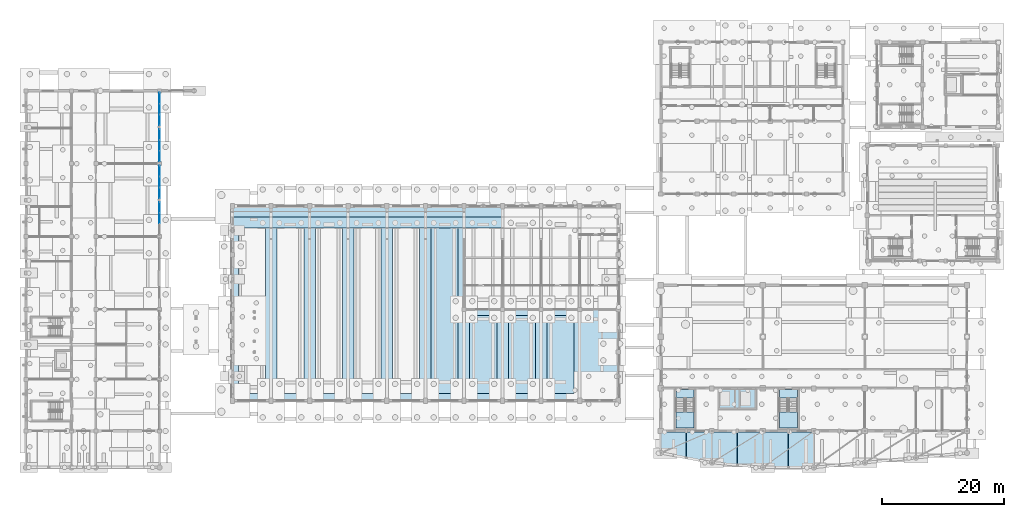
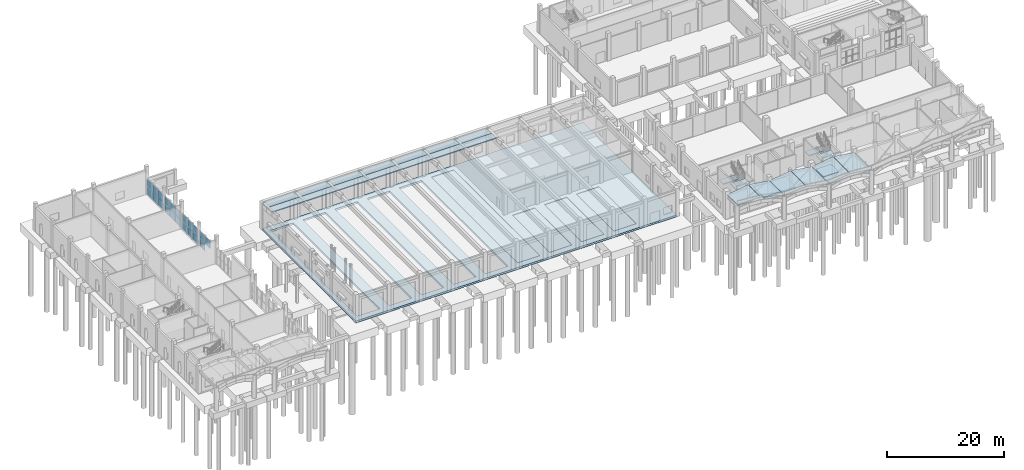
# One storey, part 25 of 60: 32 slabs, 21 plates, 6 elements without a shape of their own.
"""IFC4 building model written with IfcOpenShell, lengths in metres."""

from ifc_helpers import new_model, si_unit, direction, frame, origin, origin_2d, place, context, subcontext, project, spatial, polyline, rectangle, outline, extrude, material, layer, layer_set, type_object, element, aggregate, save


model = new_model("IFC4")

# Units and contexts
model_context = context("Model", 3, precision=1e-05, world=origin(), true_north=direction((0.0, 1.0)))
body_context = subcontext(model_context, "Body", "Model", "MODEL_VIEW")
ifc_project = project(units=[si_unit("LENGTHUNIT", "METRE"), si_unit("AREAUNIT", "SQUARE_METRE"), si_unit("VOLUMEUNIT", "CUBIC_METRE"), si_unit("PLANEANGLEUNIT", "RADIAN"), si_unit("MASSUNIT", "GRAM", prefix="KILO")], contexts=[model_context])

# Site, building, storey
site_placement = place(None, origin())
site = spatial("IfcSite", under=ifc_project, at=site_placement, CompositionType="ELEMENT")
building_placement = place(site_placement, origin())
building = spatial("IfcBuilding", under=site, at=building_placement, Name="Trellovar Central Fire Station", CompositionType="ELEMENT")
storey_placement = place(building_placement, origin())
storey = spatial("IfcBuildingStorey", under=building, at=storey_placement, Name="L01", CompositionType="ELEMENT", Elevation=0.0)

# Curtain wall, plate
ifc_material_1 = material(Name="Thermally broken bronze anodized aluminum", Category="aluminium")
ifc_layer_1 = layer(ifc_material_1, 0.159912109375)
ifc_layer_set_1 = layer_set([ifc_layer_1], Name="Thermally broken bronze anodized aluminum")
curtain_wall_type = type_object("IfcCurtainWallType", Name="CW-03", PredefinedType="NOTDEFINED", material=ifc_layer_set_1)
curtain_wall_1_placement = place(storey_placement, origin())
curtain_wall_1 = element("IfcCurtainWall", 1, at=curtain_wall_1_placement, inside=storey, type_object=curtain_wall_type, Name="L01 curtain wall CW-3", PredefinedType="NOTDEFINED")
ifc_material_2 = material(Name="Double low-E solar control insulated glazing", Category="glass")
ifc_layer_2 = layer(ifc_material_2, 0.031982421875)
ifc_layer_set_2 = layer_set([ifc_layer_2], Name="Double low-E solar control insulated glazing")
plate_type_1 = type_object("IfcPlateType", Name="CWP-GL1", PredefinedType="CURTAIN_PANEL", material=ifc_layer_set_2)
plate_1_placement = place(storey_placement, frame((23.0, 51.779052734375, 1.68994140625), z_axis=(0.0, 0.0, 1.0), x_axis=(0.0, 1.0, 0.0)))
plate_1 = element("IfcPlate", 2, at=plate_1_placement, type_object=plate_type_1, Name="CW3-L01-0033 panel 3-2", PredefinedType="CURTAIN_PANEL", context=body_context, shape_type="SweptSolid", body=[
    extrude(rectangle(XDim=1.711669921875, YDim=0.031982421875, at=origin_2d()), origin(), (0.0, 0.0, 1.0), 1.570068359375),
])

curtain_wall_2_placement = place(storey_placement, origin())
curtain_wall_2 = element("IfcCurtainWall", 3, at=curtain_wall_2_placement, inside=storey, type_object=curtain_wall_type, Name="L01 curtain wall CW-3", PredefinedType="NOTDEFINED")
plate_2_placement = place(storey_placement, frame((23.0, 56.012451171875, 1.68994140625), z_axis=(0.0, 0.0, 1.0), x_axis=(0.0, 1.0, 0.0)))
plate_2 = element("IfcPlate", 4, at=plate_2_placement, type_object=plate_type_1, Name="CW3-L01-0034 panel 2-2", PredefinedType="CURTAIN_PANEL", context=body_context, shape_type="SweptSolid", body=[
    extrude(rectangle(XDim=1.711669921875, YDim=0.031982421875, at=origin_2d()), origin(), (0.0, 0.0, 1.0), 1.570068359375),
])

curtain_wall_3_placement = place(storey_placement, origin())
curtain_wall_3 = element("IfcCurtainWall", 5, at=curtain_wall_3_placement, inside=storey, type_object=curtain_wall_type, Name="L01 curtain wall CW-3", PredefinedType="NOTDEFINED")
plate_3_placement = place(storey_placement, frame((23.0, 60.19580078125, 1.68994140625), z_axis=(0.0, 0.0, 1.0), x_axis=(0.0, 1.0, 0.0)))
plate_3 = element("IfcPlate", 6, at=plate_3_placement, type_object=plate_type_1, Name="CW3-L01-0035 panel 1-2", PredefinedType="CURTAIN_PANEL", context=body_context, shape_type="SweptSolid", body=[
    extrude(rectangle(XDim=1.711669921875, YDim=0.031982421875, at=origin_2d()), origin(), (0.0, 0.0, 1.0), 1.570068359375),
])

# Plate
ifc_material_3 = material(Name="Double low-E solar control insulated glazing", Category="glass")
ifc_layer_3 = layer(ifc_material_3, 0.035888671875)
ifc_layer_set_3 = layer_set([ifc_layer_3], Name="Double low-E solar control insulated glazing")
plate_type_2 = type_object("IfcPlateType", Name="CWP-GL2", PredefinedType="CURTAIN_PANEL", material=ifc_layer_set_3)
plate_4_placement = place(storey_placement, frame((23.0, 57.80419921875, 1.68994140625), z_axis=(0.0, 0.0, 1.0), x_axis=(0.0, 1.0, 0.0)))
plate_4 = element("IfcPlate", 7, at=plate_4_placement, type_object=plate_type_2, Name="CW3-L01-0034 panel 3-2", PredefinedType="CURTAIN_PANEL", context=body_context, shape_type="SweptSolid", body=[
    extrude(rectangle(XDim=1.711669921875, YDim=0.035888671875, at=origin_2d()), origin(), (0.0, 0.0, 1.0), 1.570068359375),
])

plate_5_placement = place(storey_placement, frame((23.0, 61.987548828125, 1.68994140625), z_axis=(0.0, 0.0, 1.0), x_axis=(0.0, 1.0, 0.0)))
plate_5 = element("IfcPlate", 8, at=plate_5_placement, type_object=plate_type_2, Name="CW3-L01-0035 panel 2-2", PredefinedType="CURTAIN_PANEL", context=body_context, shape_type="SweptSolid", body=[
    extrude(rectangle(XDim=1.711669921875, YDim=0.035888671875, at=origin_2d()), origin(), (0.0, 0.0, 1.0), 1.570068359375),
])

# Curtain wall, plate
curtain_wall_4_placement = place(storey_placement, origin())
curtain_wall_4 = element("IfcCurtainWall", 9, at=curtain_wall_4_placement, inside=storey, type_object=curtain_wall_type, Name="L01 curtain wall CW-3", PredefinedType="NOTDEFINED")
ifc_material_4 = material(Name="Double low-E solar control insulated glazing", Category="glass")
ifc_layer_4 = layer(ifc_material_4, 0.033935546875)
ifc_layer_set_4 = layer_set([ifc_layer_4], Name="Double low-E solar control insulated glazing")
plate_type_3 = type_object("IfcPlateType", Name="CWP-GL3", PredefinedType="CURTAIN_PANEL", material=ifc_layer_set_4)
plate_6_placement = place(storey_placement, frame((23.0, 44.012451171875, 1.68994140625), z_axis=(0.0, 0.0, 1.0), x_axis=(0.0, 1.0, 0.0)))
plate_6 = element("IfcPlate", 10, at=plate_6_placement, type_object=plate_type_3, Name="CW3-L01-0032 panel 2-2", PredefinedType="CURTAIN_PANEL", context=body_context, shape_type="SweptSolid", body=[
    extrude(rectangle(XDim=1.711669921875, YDim=0.033935546875, at=origin_2d()), origin(), (0.0, 0.0, 1.0), 1.570068359375),
])

# Plate
plate_7_placement = place(storey_placement, frame((23.0, 48.19580078125, 1.68994140625), z_axis=(0.0, 0.0, 1.0), x_axis=(0.0, 1.0, 0.0)))
plate_7 = element("IfcPlate", 11, at=plate_7_placement, type_object=plate_type_3, Name="CW3-L01-0033 panel 1-2", PredefinedType="CURTAIN_PANEL", context=body_context, shape_type="SweptSolid", body=[
    extrude(rectangle(XDim=1.711669921875, YDim=0.033935546875, at=origin_2d()), origin(), (0.0, 0.0, 1.0), 1.570068359375),
])

plate_8_placement = place(storey_placement, frame((23.0, 63.779052734375, 1.68994140625), z_axis=(0.0, 0.0, 1.0), x_axis=(0.0, 1.0, 0.0)))
plate_8 = element("IfcPlate", 12, at=plate_8_placement, type_object=plate_type_3, Name="CW3-L01-0035 panel 3-2", PredefinedType="CURTAIN_PANEL", context=body_context, shape_type="SweptSolid", body=[
    extrude(rectangle(XDim=1.711669921875, YDim=0.033935546875, at=origin_2d()), origin(), (0.0, 0.0, 1.0), 1.570068359375),
])

ifc_material_5 = material(Name="Double low-E solar control insulated glazing", Category="glass")
ifc_layer_5 = layer(ifc_material_5, 0.030029296875)
ifc_layer_set_5 = layer_set([ifc_layer_5], Name="Double low-E solar control insulated glazing")
plate_type_4 = type_object("IfcPlateType", Name="CWP-GL4", PredefinedType="CURTAIN_PANEL", material=ifc_layer_set_5)
plate_9_placement = place(storey_placement, frame((23.0, 45.80419921875, 1.68994140625), z_axis=(0.0, 0.0, 1.0), x_axis=(0.0, 1.0, 0.0)))
plate_9 = element("IfcPlate", 13, at=plate_9_placement, type_object=plate_type_4, Name="CW3-L01-0032 panel 3-2", PredefinedType="CURTAIN_PANEL", context=body_context, shape_type="SweptSolid", body=[
    extrude(rectangle(XDim=1.711669921875, YDim=0.030029296875, at=origin_2d()), origin(), (0.0, 0.0, 1.0), 1.570068359375),
])

plate_10_placement = place(storey_placement, frame((23.0, 49.987548828125, 1.68994140625), z_axis=(0.0, 0.0, 1.0), x_axis=(0.0, 1.0, 0.0)))
plate_10 = element("IfcPlate", 14, at=plate_10_placement, type_object=plate_type_4, Name="CW3-L01-0033 panel 2-2", PredefinedType="CURTAIN_PANEL", context=body_context, shape_type="SweptSolid", body=[
    extrude(rectangle(XDim=1.711669921875, YDim=0.030029296875, at=origin_2d()), origin(), (0.0, 0.0, 1.0), 1.570068359375),
])

plate_11_placement = place(storey_placement, frame((23.0, 54.220947265625, 1.68994140625), z_axis=(0.0, 0.0, 1.0), x_axis=(0.0, 1.0, 0.0)))
plate_11 = element("IfcPlate", 15, at=plate_11_placement, type_object=plate_type_4, Name="CW3-L01-0034 panel 1-2", PredefinedType="CURTAIN_PANEL", context=body_context, shape_type="SweptSolid", body=[
    extrude(rectangle(XDim=1.711669921875, YDim=0.030029296875, at=origin_2d()), origin(), (0.0, 0.0, 1.0), 1.570068359375),
])

ifc_material_6 = material(Name="Glazed ceramic trencadis and terracotta panel", Category="masonry")
ifc_layer_6 = layer(ifc_material_6, 0.048095703125)
ifc_layer_set_6 = layer_set([ifc_layer_6], Name="Glazed ceramic trencadis and terracotta panel")
plate_type_5 = type_object("IfcPlateType", Name="CWP-SP1", PredefinedType="CURTAIN_PANEL", material=ifc_layer_set_6)
plate_12_placement = place(storey_placement, frame((23.0, 45.80419921875, 0.0400390625), z_axis=(0.0, 0.0, 1.0), x_axis=(0.0, 1.0, 0.0)))
plate_12 = element("IfcPlate", 16, at=plate_12_placement, type_object=plate_type_5, Name="CW3-L01-0032 panel 3-1", PredefinedType="CURTAIN_PANEL", context=body_context, shape_type="SweptSolid", body=[
    extrude(rectangle(XDim=1.711669921875, YDim=0.048095703125, at=origin_2d()), origin(), (0.0, 0.0, 1.0), 1.570068359375),
])

aggregate(curtain_wall_4, [plate_6, plate_12, plate_9])

plate_13_placement = place(storey_placement, frame((23.0, 49.987548828125, 0.0400390625), z_axis=(0.0, 0.0, 1.0), x_axis=(0.0, 1.0, 0.0)))
plate_13 = element("IfcPlate", 17, at=plate_13_placement, type_object=plate_type_5, Name="CW3-L01-0033 panel 2-1", PredefinedType="CURTAIN_PANEL", context=body_context, shape_type="SweptSolid", body=[
    extrude(rectangle(XDim=1.711669921875, YDim=0.048095703125, at=origin_2d()), origin(), (0.0, 0.0, 1.0), 1.570068359375),
])

plate_14_placement = place(storey_placement, frame((23.0, 54.220947265625, 0.0400390625), z_axis=(0.0, 0.0, 1.0), x_axis=(0.0, 1.0, 0.0)))
plate_14 = element("IfcPlate", 18, at=plate_14_placement, type_object=plate_type_5, Name="CW3-L01-0034 panel 1-1", PredefinedType="CURTAIN_PANEL", context=body_context, shape_type="SweptSolid", body=[
    extrude(rectangle(XDim=1.711669921875, YDim=0.048095703125, at=origin_2d()), origin(), (0.0, 0.0, 1.0), 1.570068359375),
])

plate_15_placement = place(storey_placement, frame((23.0, 57.80419921875, 0.0400390625), z_axis=(0.0, 0.0, 1.0), x_axis=(0.0, 1.0, 0.0)))
plate_15 = element("IfcPlate", 19, at=plate_15_placement, type_object=plate_type_5, Name="CW3-L01-0034 panel 3-1", PredefinedType="CURTAIN_PANEL", context=body_context, shape_type="SweptSolid", body=[
    extrude(rectangle(XDim=1.711669921875, YDim=0.048095703125, at=origin_2d()), origin(), (0.0, 0.0, 1.0), 1.570068359375),
])

plate_16_placement = place(storey_placement, frame((23.0, 61.987548828125, 0.0400390625), z_axis=(0.0, 0.0, 1.0), x_axis=(0.0, 1.0, 0.0)))
plate_16 = element("IfcPlate", 20, at=plate_16_placement, type_object=plate_type_5, Name="CW3-L01-0035 panel 2-1", PredefinedType="CURTAIN_PANEL", context=body_context, shape_type="SweptSolid", body=[
    extrude(rectangle(XDim=1.711669921875, YDim=0.048095703125, at=origin_2d()), origin(), (0.0, 0.0, 1.0), 1.570068359375),
])

ifc_material_7 = material(Name="Glazed ceramic trencadis and terracotta panel", Category="masonry")
ifc_layer_7 = layer(ifc_material_7, 0.044921875)
ifc_layer_set_7 = layer_set([ifc_layer_7], Name="Glazed ceramic trencadis and terracotta panel")
plate_type_6 = type_object("IfcPlateType", Name="CWP-SP2", PredefinedType="CURTAIN_PANEL", material=ifc_layer_set_7)
plate_17_placement = place(storey_placement, frame((23.0, 48.19580078125, 0.0400390625), z_axis=(0.0, 0.0, 1.0), x_axis=(0.0, 1.0, 0.0)))
plate_17 = element("IfcPlate", 21, at=plate_17_placement, type_object=plate_type_6, Name="CW3-L01-0033 panel 1-1", PredefinedType="CURTAIN_PANEL", context=body_context, shape_type="SweptSolid", body=[
    extrude(rectangle(XDim=1.711669921875, YDim=0.044921875, at=origin_2d()), origin(), (0.0, 0.0, 1.0), 1.570068359375),
])

plate_18_placement = place(storey_placement, frame((23.0, 51.779052734375, 0.0400390625), z_axis=(0.0, 0.0, 1.0), x_axis=(0.0, 1.0, 0.0)))
plate_18 = element("IfcPlate", 22, at=plate_18_placement, type_object=plate_type_6, Name="CW3-L01-0033 panel 3-1", PredefinedType="CURTAIN_PANEL", context=body_context, shape_type="SweptSolid", body=[
    extrude(rectangle(XDim=1.711669921875, YDim=0.044921875, at=origin_2d()), origin(), (0.0, 0.0, 1.0), 1.570068359375),
])

aggregate(curtain_wall_1, [plate_17, plate_7, plate_13, plate_10, plate_18, plate_1])

plate_19_placement = place(storey_placement, frame((23.0, 56.012451171875, 0.0400390625), z_axis=(0.0, 0.0, 1.0), x_axis=(0.0, 1.0, 0.0)))
plate_19 = element("IfcPlate", 23, at=plate_19_placement, type_object=plate_type_6, Name="CW3-L01-0034 panel 2-1", PredefinedType="CURTAIN_PANEL", context=body_context, shape_type="SweptSolid", body=[
    extrude(rectangle(XDim=1.711669921875, YDim=0.044921875, at=origin_2d()), origin(), (0.0, 0.0, 1.0), 1.570068359375),
])

aggregate(curtain_wall_2, [plate_14, plate_11, plate_19, plate_2, plate_15, plate_4])

plate_20_placement = place(storey_placement, frame((23.0, 60.19580078125, 0.0400390625), z_axis=(0.0, 0.0, 1.0), x_axis=(0.0, 1.0, 0.0)))
plate_20 = element("IfcPlate", 24, at=plate_20_placement, type_object=plate_type_6, Name="CW3-L01-0035 panel 1-1", PredefinedType="CURTAIN_PANEL", context=body_context, shape_type="SweptSolid", body=[
    extrude(rectangle(XDim=1.711669921875, YDim=0.044921875, at=origin_2d()), origin(), (0.0, 0.0, 1.0), 1.570068359375),
])

plate_21_placement = place(storey_placement, frame((23.0, 63.779052734375, 0.0400390625), z_axis=(0.0, 0.0, 1.0), x_axis=(0.0, 1.0, 0.0)))
plate_21 = element("IfcPlate", 25, at=plate_21_placement, type_object=plate_type_6, Name="CW3-L01-0035 panel 3-1", PredefinedType="CURTAIN_PANEL", context=body_context, shape_type="SweptSolid", body=[
    extrude(rectangle(XDim=1.711669921875, YDim=0.044921875, at=origin_2d()), origin(), (0.0, 0.0, 1.0), 1.570068359375),
])

aggregate(curtain_wall_3, [plate_20, plate_3, plate_16, plate_5, plate_21, plate_8])

# Slabs
ifc_material_8 = material(Name="Concrete C35/45", Category="concrete")
ifc_layer_8 = layer(ifc_material_8, 0.39990234375)
ifc_layer_set_8 = layer_set([ifc_layer_8], Name="Concrete C35/45")
slab_type_1 = type_object("IfcSlabType", Name="SLB-BASE400", PredefinedType="BASESLAB", material=ifc_layer_set_8)
slab_1_placement = place(storey_placement, frame((0.0, 0.0, -0.39990234375)))
element("IfcSlab", 26, at=slab_1_placement, inside=storey, type_object=slab_type_1, Name="Primary Appliance Hall L01 structural base slab", PredefinedType="BASESLAB", context=body_context, shape_type="SweptSolid", body=[
    extrude(outline(polyline([(35.0, 14.0), (98.5, 14.0), (98.5, 46.0), (35.0, 46.0), (35.0, 14.0)]), holes=[polyline([(35.949951171875, 15.199951171875), (40.39990234375, 15.199951171875), (40.39990234375, 44.800048828125), (35.949951171875, 44.800048828125), (35.949951171875, 15.199951171875)]), polyline([(42.300048828125, 15.199951171875), (46.75, 15.199951171875), (46.75, 44.800048828125), (42.300048828125, 44.800048828125), (42.300048828125, 15.199951171875)]), polyline([(48.64990234375, 15.199951171875), (53.10009765625, 15.199951171875), (53.10009765625, 44.800048828125), (48.64990234375, 44.800048828125), (48.64990234375, 15.199951171875)]), polyline([(55.0, 15.199951171875), (59.449951171875, 15.199951171875), (59.449951171875, 44.800048828125), (55.0, 44.800048828125), (55.0, 15.199951171875)]), polyline([(61.35009765625, 15.199951171875), (65.800048828125, 15.199951171875), (65.800048828125, 44.800048828125), (61.35009765625, 44.800048828125), (61.35009765625, 15.199951171875)]), polyline([(67.699951171875, 15.199951171875), (72.14990234375, 15.199951171875), (72.14990234375, 44.800048828125), (67.699951171875, 44.800048828125), (67.699951171875, 15.199951171875)]), polyline([(74.050048828125, 15.199951171875), (78.5, 15.199951171875), (78.5, 28.0), (74.050048828125, 28.0), (74.050048828125, 15.199951171875)]), polyline([(80.39990234375, 15.199951171875), (84.85009765625, 15.199951171875), (84.85009765625, 28.0), (80.39990234375, 28.0), (80.39990234375, 15.199951171875)]), polyline([(86.75, 15.199951171875), (91.199951171875, 15.199951171875), (91.199951171875, 28.0), (86.75, 28.0), (86.75, 15.199951171875)])]), origin(), (0.0, 0.0, 1.0), 0.39990234375),
])
ifc_material_9 = material(Name="Concrete C40/50", Category="concrete")
ifc_layer_9 = layer(ifc_material_9, 0.159912109375)
ifc_layer_set_9 = layer_set([ifc_layer_9], Name="Concrete C40/50")
slab_type_2 = type_object("IfcSlabType", Name="SLB-CAN160", PredefinedType="ROOF", material=ifc_layer_set_9)
slab_2_placement = place(storey_placement, frame((105.501953125, 5.39990234375, 4.9501953125), z_axis=(-0.141421356237, 0.0, 0.989949493661), x_axis=(0.97260048356, -0.186395178668, 0.138942926223)))
element("IfcSlab", 27, at=slab_2_placement, inside=storey, type_object=slab_type_2, Name="Concave boulevard Catalan canopy vault 01-W", PredefinedType="ROOF", context=body_context, shape_type="SweptSolid", body=[
    extrude(outline(polyline([(0.0, 0.0), (4.290908666292561, 6.938893903907228e-17), (3.4987291569552164, 4.175518126530652), (-0.6430997717115897, 3.3897301335093735), (0.0, 0.0)])), origin(), (0.0, 0.0, -1.0), 0.159912109375),
])
slab_3_placement = place(storey_placement, frame((109.724609375, 4.60009765625, 5.54638671875), z_axis=(0.141421356237, 0.0, 0.989949493661), x_axis=(0.972590167371, -0.186450098191, -0.138941452482)))
element("IfcSlab", 28, at=slab_3_placement, inside=storey, type_object=slab_type_2, Name="Concave boulevard Catalan canopy vault 01-E", PredefinedType="ROOF", context=body_context, shape_type="SweptSolid", body=[
    extrude(outline(polyline([(0.0, 0.0), (4.290954179632056, 7.28583859910259e-17), (3.3493720797593687, 4.961493355396742), (-0.7924129173112759, 4.17547383759954), (0.0, 0.0)])), origin(), (0.0, 0.0, -1.0), 0.159912109375),
])
slab_4_placement = place(storey_placement, frame((113.902099609375, 3.800048828125, 4.9501953125), z_axis=(-0.141421356237, 0.0, 0.989949493661), x_axis=(0.985519969039, -0.094493227405, 0.140788567006)))
element("IfcSlab", 29, at=slab_4_placement, inside=storey, type_object=slab_type_2, Name="Concave boulevard Catalan canopy vault 02-W", PredefinedType="ROOF", context=body_context, shape_type="SweptSolid", body=[
    extrude(outline(polyline([(0.0, 0.0), (4.234657820093059, -4.336808689942018e-17), (3.7196512750291526, 5.425808437729653), (-0.4771954123206819, 5.027452407025528), (0.0, 0.0)])), origin(), (0.0, 0.0, -1.0), 0.159912109375),
])
slab_5_placement = place(storey_placement, frame((118.12451171875, 3.39990234375, 5.54638671875), z_axis=(0.141413249003, 0.0, 0.989950651804), x_axis=(0.98552699318, -0.094430723301, -0.140781334738)))
element("IfcSlab", 30, at=slab_5_placement, inside=storey, type_object=slab_type_2, Name="Concave boulevard Catalan canopy vault 02-E", PredefinedType="ROOF", context=body_context, shape_type="SweptSolid", body=[
    extrude(outline(polyline([(0.0, 0.0), (4.234875364406206, 5.204170427930421e-17), (3.6824464113456745, 5.823956115861639), (-0.5146658854904976, 5.4258407616432365), (0.0, 0.0)])), origin(), (0.0, 0.0, -1.0), 0.159912109375),
])
for number, where, z_axis, x_axis, name in (
    (31, (122.302001953125, 3.0, 4.9501953125), (-0.141421356237, 0.0, 0.989949493661), (0.989949493661, 0.0, 0.141421356237), "Concave boulevard Catalan canopy vault 03-W"),
    (32, (126.524658203125, 3.0, 5.54638671875), (0.141421356237, 0.0, 0.989949493661), (0.989949493661, 0.0, -0.141421356237), "Concave boulevard Catalan canopy vault 03-E"),
):
    element("IfcSlab", number, at=place(storey_placement, frame(where, z_axis=z_axis, x_axis=x_axis)), inside=storey, type_object=slab_type_2, Name=name, PredefinedType="ROOF", context=body_context, shape_type="SweptSolid", body=[
        extrude(outline(polyline([(0.0, 0.0), (4.215709862445188, 0.0), (4.215709862445188, 5.85009765625), (0.0, 5.85009765625), (0.0, 0.0)])), origin(), (0.0, 0.0, -1.0), 0.159912109375),
    ])

# Stair, slabs
ifc_material_10 = material(Name="Concrete C40/50", Category="concrete")
stair_type = type_object("IfcStairType", Name="ST-R1625", PredefinedType="HALF_TURN_STAIR", material=ifc_material_10)
stair_1_placement = place(storey_placement, origin())
stair_1 = element("IfcStair", 33, at=stair_1_placement, inside=storey, type_object=stair_type, Name="L01 Protected exit stair ST-01", PredefinedType="HALF_TURN_STAIR")
ifc_material_11 = material(Name="Concrete C40/50", Category="concrete")
ifc_layer_10 = layer(ifc_material_11, 0.199951171875)
ifc_layer_set_10 = layer_set([ifc_layer_10], Name="Concrete C40/50")
slab_type_3 = type_object("IfcSlabType", Name="SLB-LND", PredefinedType="LANDING", material=ifc_layer_set_10)
slab_6_placement = place(storey_placement, frame((0.0, 0.0, 1.262451171875)))
slab_6 = element("IfcSlab", 34, at=slab_6_placement, type_object=slab_type_3, Name="ST-01 landing 1", PredefinedType="LANDING", context=body_context, shape_type="SweptSolid", body=[
    extrude(outline(polyline([(108.0, 12.159912109375), (108.0, 9.5), (111.0, 9.5), (111.0, 12.159912109375), (108.0, 12.159912109375)])), origin(), (0.0, 0.0, 1.0), 0.199951171875),
])
slab_7_placement = place(storey_placement, frame((0.0, 0.0, 2.72509765625)))
slab_7 = element("IfcSlab", 35, at=slab_7_placement, type_object=slab_type_3, Name="ST-01 landing 2", PredefinedType="LANDING", context=body_context, shape_type="SweptSolid", body=[
    extrude(outline(polyline([(108.0, 15.800048828125), (108.0, 14.39990234375), (111.0, 14.39990234375), (111.0, 15.800048828125), (108.0, 15.800048828125)])), origin(), (0.0, 0.0, 1.0), 0.199951171875),
])
slab_8_placement = place(storey_placement, frame((0.0, 0.0, 4.1875)))
slab_8 = element("IfcSlab", 36, at=slab_8_placement, type_object=slab_type_3, Name="ST-01 landing 3", PredefinedType="LANDING", context=body_context, shape_type="SweptSolid", body=[
    extrude(outline(polyline([(108.0, 12.159912109375), (108.0, 9.5), (111.0, 9.5), (111.0, 12.159912109375), (108.0, 12.159912109375)])), origin(), (0.0, 0.0, 1.0), 0.199951171875),
])
aggregate(stair_1, [slab_6, slab_7, slab_8])

stair_2_placement = place(storey_placement, origin())
stair_2 = element("IfcStair", 37, at=stair_2_placement, inside=storey, type_object=stair_type, Name="L01 Protected exit stair ST-02", PredefinedType="HALF_TURN_STAIR")
slab_9_placement = place(storey_placement, frame((0.0, 0.0, 1.262451171875)))
slab_9 = element("IfcSlab", 38, at=slab_9_placement, type_object=slab_type_3, Name="ST-02 landing 1", PredefinedType="LANDING", context=body_context, shape_type="SweptSolid", body=[
    extrude(outline(polyline([(125.0, 12.159912109375), (125.0, 9.5), (128.0, 9.5), (128.0, 12.159912109375), (125.0, 12.159912109375)])), origin(), (0.0, 0.0, 1.0), 0.199951171875),
])
slab_10_placement = place(storey_placement, frame((0.0, 0.0, 2.72509765625)))
slab_10 = element("IfcSlab", 39, at=slab_10_placement, type_object=slab_type_3, Name="ST-02 landing 2", PredefinedType="LANDING", context=body_context, shape_type="SweptSolid", body=[
    extrude(outline(polyline([(125.0, 15.800048828125), (125.0, 14.39990234375), (128.0, 14.39990234375), (128.0, 15.800048828125), (125.0, 15.800048828125)])), origin(), (0.0, 0.0, 1.0), 0.199951171875),
])
slab_11_placement = place(storey_placement, frame((0.0, 0.0, 4.1875)))
slab_11 = element("IfcSlab", 40, at=slab_11_placement, type_object=slab_type_3, Name="ST-02 landing 3", PredefinedType="LANDING", context=body_context, shape_type="SweptSolid", body=[
    extrude(outline(polyline([(125.0, 12.159912109375), (125.0, 9.5), (128.0, 9.5), (128.0, 12.159912109375), (125.0, 12.159912109375)])), origin(), (0.0, 0.0, 1.0), 0.199951171875),
])
aggregate(stair_2, [slab_9, slab_10, slab_11])

# Slabs
ifc_material_12 = material(Name="Concrete C35/45", Category="concrete")
ifc_layer_11 = layer(ifc_material_12, 0.35009765625)
ifc_layer_set_11 = layer_set([ifc_layer_11], Name="Concrete C35/45")
slab_type_4 = type_object("IfcSlabType", Name="SLB-PIT350", PredefinedType="BASESLAB", material=ifc_layer_set_11)
slab_12_placement = place(storey_placement, frame((0.0, 0.0, -1.5)))
element("IfcSlab", 41, at=slab_12_placement, inside=storey, type_object=slab_type_4, Name="Elevator EL-01 pit base slab", PredefinedType="BASESLAB", context=body_context, shape_type="SweptSolid", body=[
    extrude(outline(polyline([(114.949951171875, 12.550048828125), (121.25, 12.550048828125), (121.25, 16.050048828125), (114.949951171875, 16.050048828125), (114.949951171875, 12.550048828125)])), origin(), (0.0, 0.0, 1.0), 0.35009765625),
])
ifc_material_13 = material(Name="Concrete C35/45", Category="concrete")
ifc_layer_12 = layer(ifc_material_13, 0.324951171875)
ifc_layer_set_12 = layer_set([ifc_layer_12], Name="Concrete C35/45")
slab_type_5 = type_object("IfcSlabType", Name="SLB-TRENCH325", PredefinedType="BASESLAB", material=ifc_layer_set_12)
slab_13_placement = place(storey_placement, frame((0.0, 0.0, -0.389892578125)))
element("IfcSlab", 42, at=slab_13_placement, inside=storey, type_object=slab_type_5, Name="Appliance bay 6 depressed floor slab", PredefinedType="BASESLAB", context=body_context, shape_type="SweptSolid", body=[
    extrude(outline(polyline([(67.699951171875, 15.199951171875), (72.14990234375, 15.199951171875), (72.14990234375, 44.800048828125), (67.699951171875, 44.800048828125), (67.699951171875, 15.199951171875)])), origin(), (0.0, 0.0, 1.0), 0.324951171875),
])
slab_14_placement = place(storey_placement, frame((0.0, 0.0, -0.389892578125)))
element("IfcSlab", 43, at=slab_14_placement, inside=storey, type_object=slab_type_5, Name="Appliance bay 7 depressed floor slab", PredefinedType="BASESLAB", context=body_context, shape_type="SweptSolid", body=[
    extrude(outline(polyline([(74.050048828125, 15.199951171875), (78.5, 15.199951171875), (78.5, 28.0), (74.050048828125, 28.0), (74.050048828125, 15.199951171875)])), origin(), (0.0, 0.0, 1.0), 0.324951171875),
])
slab_15_placement = place(storey_placement, frame((0.0, 0.0, -0.389892578125)))
element("IfcSlab", 44, at=slab_15_placement, inside=storey, type_object=slab_type_5, Name="Appliance bay 8 depressed floor slab", PredefinedType="BASESLAB", context=body_context, shape_type="SweptSolid", body=[
    extrude(outline(polyline([(80.39990234375, 15.199951171875), (84.85009765625, 15.199951171875), (84.85009765625, 28.0), (80.39990234375, 28.0), (80.39990234375, 15.199951171875)])), origin(), (0.0, 0.0, 1.0), 0.324951171875),
])
slab_16_placement = place(storey_placement, frame((0.0, 0.0, -0.389892578125)))
element("IfcSlab", 45, at=slab_16_placement, inside=storey, type_object=slab_type_5, Name="Appliance bay 9 depressed floor slab", PredefinedType="BASESLAB", context=body_context, shape_type="SweptSolid", body=[
    extrude(outline(polyline([(86.75, 15.199951171875), (91.199951171875, 15.199951171875), (91.199951171875, 28.0), (86.75, 28.0), (86.75, 15.199951171875)])), origin(), (0.0, 0.0, 1.0), 0.324951171875),
])
ifc_material_14 = material(Name="Concrete C40/50", Category="concrete")
ifc_layer_13 = layer(ifc_material_14, 0.179931640625)
ifc_layer_set_13 = layer_set([ifc_layer_13], Name="Concrete C40/50")
slab_type_6 = type_object("IfcSlabType", Name="SLB-VLT180", PredefinedType="ROOF", material=ifc_layer_set_13)
slab_17_placement = place(storey_placement, frame((35.0, 42.43505859375, 5.66162109375), z_axis=(0.0, 0.109979981999, 0.993933802403), x_axis=(1.0, 0.0, 0.0)))
element("IfcSlab", 46, at=slab_17_placement, inside=storey, type_object=slab_type_6, Name="Catalan ski-jump vault strip V1-01-17", PredefinedType="ROOF", context=body_context, shape_type="SweptSolid", body=[
    extrude(outline(polyline([(0.0, 0.0), (6.35009765625, 0.0), (6.35009765625, 1.7803310901808889), (0.0, 1.7803310901808889), (0.0, 0.0)])), origin(), (0.0, 0.0, -1.0), 0.179931640625),
])
slab_18_placement = place(storey_placement, frame((35.0, 44.21533203125, 5.46533203125), z_axis=(0.0, 0.036540904714, 0.999332158135), x_axis=(1.0, 0.0, 0.0)))
element("IfcSlab", 47, at=slab_18_placement, inside=storey, type_object=slab_type_6, Name="Catalan ski-jump vault strip V1-01-18", PredefinedType="ROOF", context=body_context, shape_type="SweptSolid", body=[
    extrude(outline(polyline([(0.0, 0.0), (6.35009765625, 0.0), (6.35009765625, 1.78390621100101), (0.0, 1.78390621100101), (0.0, 0.0)])), origin(), (0.0, 0.0, -1.0), 0.179931640625),
])
slab_19_placement = place(storey_placement, frame((41.35009765625, 42.43505859375, 5.66162109375), z_axis=(0.0, 0.109979981999, 0.993933802403), x_axis=(1.0, 0.0, 0.0)))
element("IfcSlab", 48, at=slab_19_placement, inside=storey, type_object=slab_type_6, Name="Catalan ski-jump vault strip V1-02-17", PredefinedType="ROOF", context=body_context, shape_type="SweptSolid", body=[
    extrude(outline(polyline([(0.0, 0.0), (6.349853515625, 0.0), (6.349853515625, 1.7803310901808893), (0.0, 1.7803310901808893), (0.0, 0.0)])), origin(), (0.0, 0.0, -1.0), 0.179931640625),
])
slab_20_placement = place(storey_placement, frame((41.35009765625, 44.21533203125, 5.46533203125), z_axis=(0.0, 0.036540904714, 0.999332158135), x_axis=(1.0, 0.0, 0.0)))
element("IfcSlab", 49, at=slab_20_placement, inside=storey, type_object=slab_type_6, Name="Catalan ski-jump vault strip V1-02-18", PredefinedType="ROOF", context=body_context, shape_type="SweptSolid", body=[
    extrude(outline(polyline([(0.0, 0.0), (6.349853515625, 0.0), (6.349853515625, 1.78390621100101), (0.0, 1.78390621100101), (0.0, 0.0)])), origin(), (0.0, 0.0, -1.0), 0.179931640625),
])
slab_21_placement = place(storey_placement, frame((47.699951171875, 42.43505859375, 5.66162109375), z_axis=(0.0, 0.109979981999, 0.993933802403), x_axis=(1.0, 0.0, 0.0)))
element("IfcSlab", 50, at=slab_21_placement, inside=storey, type_object=slab_type_6, Name="Catalan ski-jump vault strip V1-03-17", PredefinedType="ROOF", context=body_context, shape_type="SweptSolid", body=[
    extrude(outline(polyline([(0.0, 0.0), (6.35009765625, 0.0), (6.35009765625, 1.7803310901808889), (0.0, 1.7803310901808889), (0.0, 0.0)])), origin(), (0.0, 0.0, -1.0), 0.179931640625),
])
slab_22_placement = place(storey_placement, frame((47.699951171875, 44.21533203125, 5.46533203125), z_axis=(0.0, 0.036540904714, 0.999332158135), x_axis=(1.0, 0.0, 0.0)))
element("IfcSlab", 51, at=slab_22_placement, inside=storey, type_object=slab_type_6, Name="Catalan ski-jump vault strip V1-03-18", PredefinedType="ROOF", context=body_context, shape_type="SweptSolid", body=[
    extrude(outline(polyline([(0.0, 0.0), (6.35009765625, 0.0), (6.35009765625, 1.78390621100101), (0.0, 1.78390621100101), (0.0, 0.0)])), origin(), (0.0, 0.0, -1.0), 0.179931640625),
])
slab_23_placement = place(storey_placement, frame((54.050048828125, 42.43505859375, 5.66162109375), z_axis=(0.0, 0.109979981999, 0.993933802403), x_axis=(1.0, 0.0, 0.0)))
element("IfcSlab", 52, at=slab_23_placement, inside=storey, type_object=slab_type_6, Name="Catalan ski-jump vault strip V1-04-17", PredefinedType="ROOF", context=body_context, shape_type="SweptSolid", body=[
    extrude(outline(polyline([(0.0, 0.0), (6.349853515625, 0.0), (6.349853515625, 1.7803310901808893), (0.0, 1.7803310901808893), (0.0, 0.0)])), origin(), (0.0, 0.0, -1.0), 0.179931640625),
])
slab_24_placement = place(storey_placement, frame((54.050048828125, 44.21533203125, 5.46533203125), z_axis=(0.0, 0.036540904714, 0.999332158135), x_axis=(1.0, 0.0, 0.0)))
element("IfcSlab", 53, at=slab_24_placement, inside=storey, type_object=slab_type_6, Name="Catalan ski-jump vault strip V1-04-18", PredefinedType="ROOF", context=body_context, shape_type="SweptSolid", body=[
    extrude(outline(polyline([(0.0, 0.0), (6.349853515625, 0.0), (6.349853515625, 1.78390621100101), (0.0, 1.78390621100101), (0.0, 0.0)])), origin(), (0.0, 0.0, -1.0), 0.179931640625),
])
slab_25_placement = place(storey_placement, frame((60.39990234375, 42.43505859375, 5.66162109375), z_axis=(0.0, 0.109979981999, 0.993933802403), x_axis=(1.0, 0.0, 0.0)))
element("IfcSlab", 54, at=slab_25_placement, inside=storey, type_object=slab_type_6, Name="Catalan ski-jump vault strip V1-05-17", PredefinedType="ROOF", context=body_context, shape_type="SweptSolid", body=[
    extrude(outline(polyline([(0.0, 0.0), (6.35009765625, 0.0), (6.35009765625, 1.7803310901808889), (0.0, 1.7803310901808889), (0.0, 0.0)])), origin(), (0.0, 0.0, -1.0), 0.179931640625),
])
slab_26_placement = place(storey_placement, frame((60.39990234375, 44.21533203125, 5.46533203125), z_axis=(0.0, 0.036540904714, 0.999332158135), x_axis=(1.0, 0.0, 0.0)))
element("IfcSlab", 55, at=slab_26_placement, inside=storey, type_object=slab_type_6, Name="Catalan ski-jump vault strip V1-05-18", PredefinedType="ROOF", context=body_context, shape_type="SweptSolid", body=[
    extrude(outline(polyline([(0.0, 0.0), (6.35009765625, 0.0), (6.35009765625, 1.78390621100101), (0.0, 1.78390621100101), (0.0, 0.0)])), origin(), (0.0, 0.0, -1.0), 0.179931640625),
])
slab_27_placement = place(storey_placement, frame((66.75, 42.43505859375, 5.66162109375), z_axis=(0.0, 0.109979981999, 0.993933802403), x_axis=(1.0, 0.0, 0.0)))
element("IfcSlab", 56, at=slab_27_placement, inside=storey, type_object=slab_type_6, Name="Catalan ski-jump vault strip V1-06-17", PredefinedType="ROOF", context=body_context, shape_type="SweptSolid", body=[
    extrude(outline(polyline([(0.0, 0.0), (6.35009765625, 0.0), (6.35009765625, 1.7803310901808889), (0.0, 1.7803310901808889), (0.0, 0.0)])), origin(), (0.0, 0.0, -1.0), 0.179931640625),
])
slab_28_placement = place(storey_placement, frame((66.75, 44.21533203125, 5.46533203125), z_axis=(0.0, 0.036540904714, 0.999332158135), x_axis=(1.0, 0.0, 0.0)))
element("IfcSlab", 57, at=slab_28_placement, inside=storey, type_object=slab_type_6, Name="Catalan ski-jump vault strip V1-06-18", PredefinedType="ROOF", context=body_context, shape_type="SweptSolid", body=[
    extrude(outline(polyline([(0.0, 0.0), (6.35009765625, 0.0), (6.35009765625, 1.78390621100101), (0.0, 1.78390621100101), (0.0, 0.0)])), origin(), (0.0, 0.0, -1.0), 0.179931640625),
])
slab_29_placement = place(storey_placement, frame((73.10009765625, 42.43505859375, 5.66162109375), z_axis=(0.0, 0.109979981999, 0.993933802403), x_axis=(1.0, 0.0, 0.0)))
element("IfcSlab", 58, at=slab_29_placement, inside=storey, type_object=slab_type_6, Name="Catalan ski-jump vault strip V1-07-17", PredefinedType="ROOF", context=body_context, shape_type="SweptSolid", body=[
    extrude(outline(polyline([(0.0, 0.0), (6.349853515625, 0.0), (6.349853515625, 1.7803310901808893), (0.0, 1.7803310901808893), (0.0, 0.0)])), origin(), (0.0, 0.0, -1.0), 0.179931640625),
])
slab_30_placement = place(storey_placement, frame((73.10009765625, 44.21533203125, 5.46533203125), z_axis=(0.0, 0.036540904714, 0.999332158135), x_axis=(1.0, 0.0, 0.0)))
element("IfcSlab", 59, at=slab_30_placement, inside=storey, type_object=slab_type_6, Name="Catalan ski-jump vault strip V1-07-18", PredefinedType="ROOF", context=body_context, shape_type="SweptSolid", body=[
    extrude(outline(polyline([(0.0, 0.0), (6.349853515625, 0.0), (6.349853515625, 1.78390621100101), (0.0, 1.78390621100101), (0.0, 0.0)])), origin(), (0.0, 0.0, -1.0), 0.179931640625),
])

save(model, "model.ifc")
